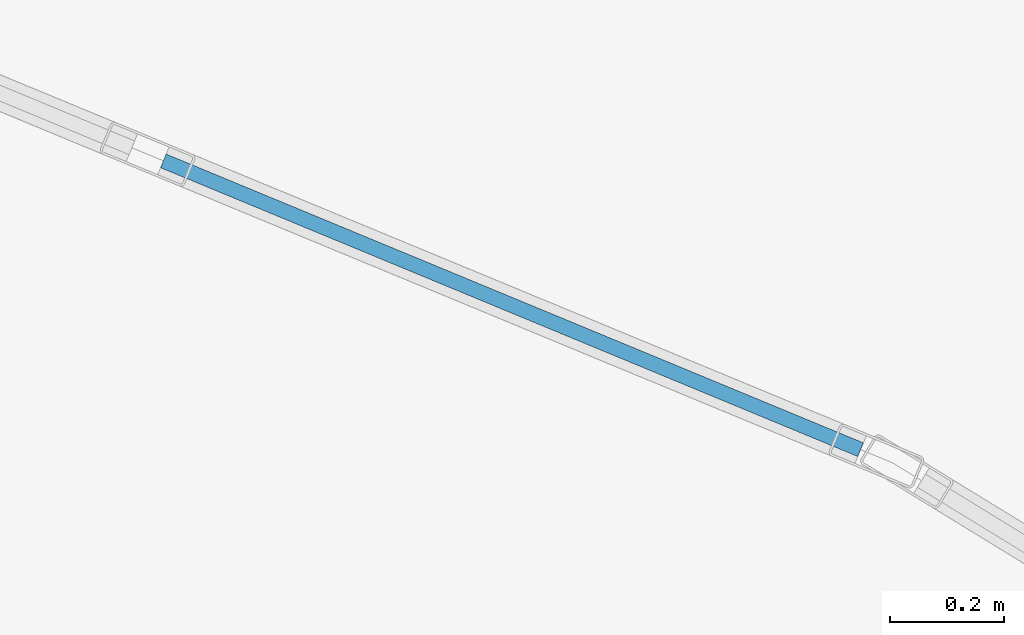
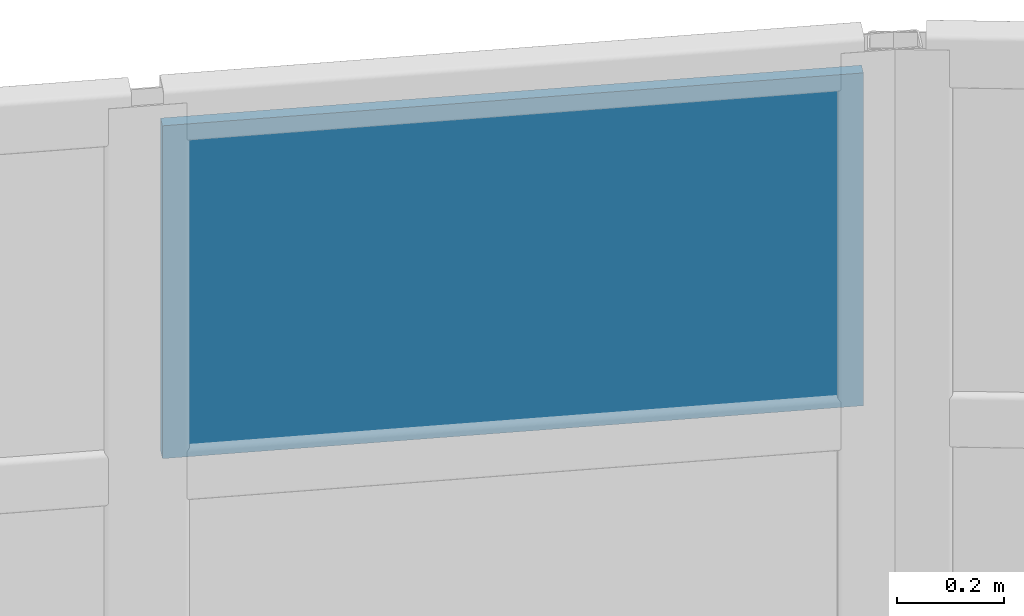
# One storey, part 78 of 96: 1 plate, 1 element without a shape of its own.
"""IFC4 building model written with IfcOpenShell, lengths in metres."""

from ifc_helpers import new_model, si_unit, derived_unit, direction, frame, origin, origin_2d, place, context, subcontext, project, spatial, rectangle, extrude, material, layer, layer_set, type_object, element, aggregate, save


model = new_model("IFC4")

# Units and contexts
model_context = context("Model", 3, precision=1e-05, world=origin(), true_north=direction((0.0, 1.0)))
body_context = subcontext(model_context, "Body", "Model", "MODEL_VIEW")
ifc_project = project(units=[si_unit("LENGTHUNIT", "METRE"), si_unit("AREAUNIT", "SQUARE_METRE"), si_unit("VOLUMEUNIT", "CUBIC_METRE"), si_unit("PLANEANGLEUNIT", "RADIAN"), si_unit("MASSUNIT", "GRAM", prefix="KILO"), derived_unit("THERMALTRANSMITTANCEUNIT", [(si_unit("MASSUNIT", "GRAM", prefix="KILO"), 1), (si_unit("TIMEUNIT", "SECOND"), -3), (si_unit("THERMODYNAMICTEMPERATUREUNIT", "KELVIN"), -1)])], contexts=[model_context])

# Site, building, storey
site_placement = place(None, origin())
site = spatial("IfcSite", under=ifc_project, at=site_placement, CompositionType="ELEMENT")
building_placement = place(site_placement, origin())
building = spatial("IfcBuilding", under=site, at=building_placement, Name="Qinzheling Arcade Emporium", CompositionType="ELEMENT")
storey_placement = place(building_placement, frame((0.0, 0.0, 21.60009765625)))
storey = spatial("IfcBuildingStorey", under=building, at=storey_placement, Name="L05", CompositionType="ELEMENT", Elevation=21.60009765625)

# Curtain wall, plate
ifc_material_1 = material(Name="Anodised aluminium and solar-control double glazing", Category="aluminium")
ifc_layer_1 = layer(ifc_material_1, 0.159912109375, Name="Anodised aluminium and solar-control double glazing", Category="aluminium")
ifc_layer_set_1 = layer_set([ifc_layer_1], Name="Anodised aluminium and solar-control double glazing")
curtain_wall_type = type_object("IfcCurtainWallType", Name="Curved Ribbon Sales Curtain Wall", PredefinedType="NOTDEFINED", material=ifc_layer_set_1)
curtain_wall_placement = place(storey_placement, origin())
curtain_wall = element("IfcCurtainWall", 1, at=curtain_wall_placement, inside=storey, type_object=curtain_wall_type, Name="Curtain Wall CW-L05-336", PredefinedType="NOTDEFINED")
ifc_material_2 = material(Name="Laminated solar-control double glazing", Category="glass")
ifc_layer_2 = layer(ifc_material_2, 0.02587890625, Name="Laminated solar-control double glazing", Category="glass")
ifc_layer_set_2 = layer_set([ifc_layer_2], Name="Laminated solar-control double glazing")
plate_type = type_object("IfcPlateType", Name="Low-E Double Glazed Curtain Panel 26mm", PredefinedType="CURTAIN_PANEL", material=ifc_layer_set_2)
plate_placement = place(storey_placement, frame((128.70556640625, 107.513916015625, 3.9697265625), z_axis=(0.0, 0.0, 1.0), x_axis=(0.923891721508, -0.382654004198, 0.0)))
plate = element("IfcPlate", 2, at=plate_placement, type_object=plate_type, Name="CW02 panel 2.3", PredefinedType="CURTAIN_PANEL", context=body_context, shape_type="SweptSolid", body=[
    extrude(rectangle(XDim=1.322509765625, YDim=0.02587890625, at=origin_2d()), origin(), (0.0, 0.0, 1.0), 0.760009765625),
])
aggregate(curtain_wall, [plate])

save(model, "model.ifc")
